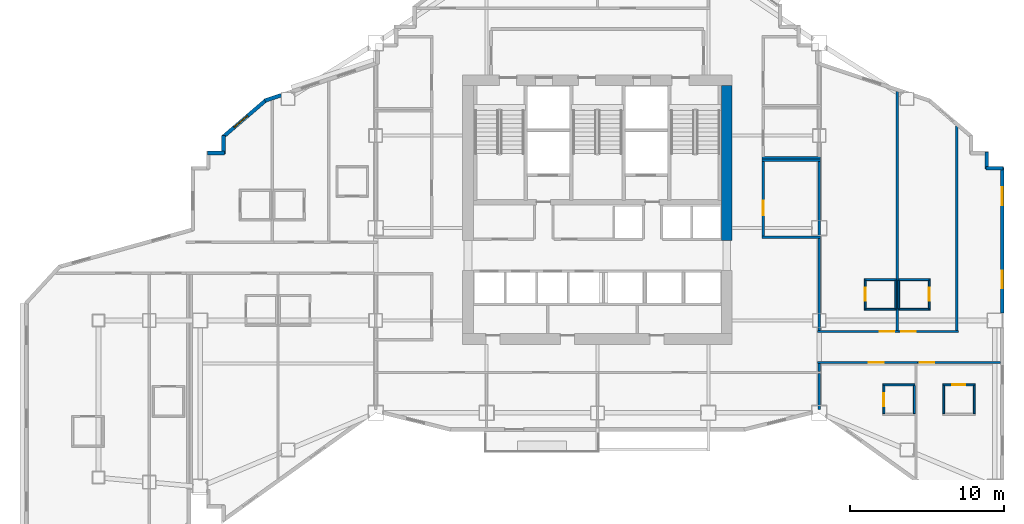
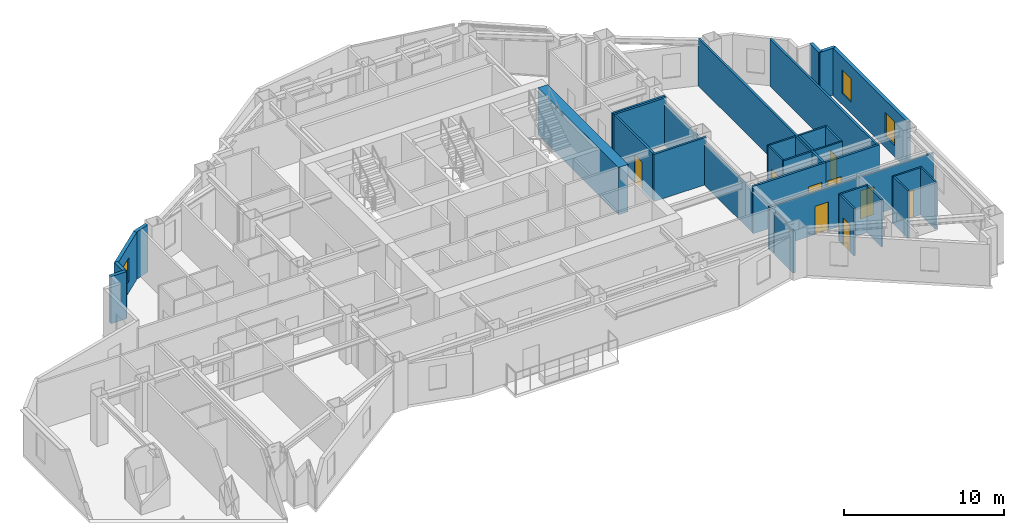
# One storey, part 10 of 14: 36 walls, 9 doors, 3 windows, 12 openings.
"""IFC4 building model written with IfcOpenShell, lengths in metres."""

from ifc_helpers import new_model, si_unit, direction, frame, frame_2d, origin, place, context, subcontext, project, spatial, rectangle, extrude, material, layer, layer_set, type_object, element, fill, save


model = new_model("IFC4")

# Units and contexts
model_context = context("Model", 3, precision=1e-05, world=origin(), true_north=direction((0.0, 1.0)))
body_context = subcontext(model_context, "Body", "Model", "MODEL_VIEW")
ifc_project = project(units=[si_unit("LENGTHUNIT", "METRE"), si_unit("AREAUNIT", "SQUARE_METRE"), si_unit("VOLUMEUNIT", "CUBIC_METRE"), si_unit("PLANEANGLEUNIT", "RADIAN"), si_unit("MASSUNIT", "GRAM", prefix="KILO")], contexts=[model_context])

# Site, building, storey
site_placement = place(None, origin())
site = spatial("IfcSite", under=ifc_project, at=site_placement, CompositionType="ELEMENT")
building_placement = place(site_placement, origin())
building = spatial("IfcBuilding", under=site, at=building_placement, Name="Haolan Belvedere Tower", CompositionType="ELEMENT")
storey_placement = place(building_placement, frame((0.0, 0.0, 148.60009765625)))
storey = spatial("IfcBuildingStorey", under=building, at=storey_placement, Name="L37", CompositionType="ELEMENT", Elevation=148.60009765625)

# Wall
ifc_material_1 = material(Name="Concrete C60/75", Category="concrete")
ifc_layer_1 = layer(ifc_material_1, 0.699951171875, Name="Concrete C60/75")
ifc_layer_set_1 = layer_set([ifc_layer_1], Name="Concrete C60/75")
wall_type_1 = type_object("IfcWallType", Name="WL-CORE-700", PredefinedType="SHEAR", material=ifc_layer_set_1)
wall_1_placement = place(storey_placement, frame((46.800048828125, 32.800048828125, 0.0), z_axis=(0.0, 0.0, 1.0), x_axis=(0.0, 1.0, 0.0)))
element("IfcWall", 1, at=wall_1_placement, inside=storey, type_object=wall_type_1, Name="L37 central core shear wall EN", PredefinedType="SHEAR", context=body_context, shape_type="SweptSolid", body=[
    extrude(rectangle(XDim=10.050048828125, YDim=0.699951171875, at=frame_2d((5.02490234375, 0.0))), origin(), (0.0, 0.0, 1.0), 3.599853515625),
])

# Wall, openings, windows
ifc_material_2 = material(Name="Precast concrete C40/50", Category="concrete")
ifc_layer_2 = layer(ifc_material_2, 0.239990234375, Name="Precast concrete C40/50")
ifc_layer_set_2 = layer_set([ifc_layer_2], Name="Precast concrete C40/50")
wall_type_2 = type_object("IfcWallType", Name="WL-EXT-240", PredefinedType="SOLIDWALL", material=ifc_layer_set_2)
wall_2_placement = place(storey_placement, frame((64.679931640625, 28.092041015625, 0.0), z_axis=(0.0, 0.0, 1.0), x_axis=(0.0, 1.0, 0.0)))
wall_2 = element("IfcWall", 2, at=wall_2_placement, inside=storey, type_object=wall_type_2, Name="L37 pale-metal exterior spandrel wall 14.2", PredefinedType="SOLIDWALL", context=body_context, shape_type="SweptSolid", body=[
    extrude(rectangle(XDim=9.44287109375, YDim=0.239990234375, at=frame_2d((4.721435546875, 0.0))), origin(), (0.0, 0.0, 1.0), 3.599853515625),
])
opening_1_placement = place(wall_2_placement, frame((1.60009765625, 0.0, 0.85009765625)))
opening_1 = element("IfcOpeningElement", 3, at=opening_1_placement, cuts=wall_2, Name="Opening W-02", PredefinedType="OPENING", context=body_context, shape_type="SweptSolid", body=[
    extrude(rectangle(XDim=1.14990234375, YDim=1.800048828125, at=frame_2d((0.574951171875, 0.89990234375))), frame((0.0, 0.1298828125, 0.0), z_axis=(0.0, -1.0, 0.0), x_axis=(1.0, 0.0, 0.0)), (0.0, 0.0, 1.0), 0.260009765625),
])
opening_2_placement = place(wall_2_placement, frame((7.0, 0.0, 0.85009765625)))
opening_2 = element("IfcOpeningElement", 4, at=opening_2_placement, cuts=wall_2, Name="Opening W-02", PredefinedType="OPENING", context=body_context, shape_type="SweptSolid", body=[
    extrude(rectangle(XDim=1.14990234375, YDim=1.800048828125, at=frame_2d((0.574951171875, 0.89990234375))), frame((0.0, 0.1298828125, 0.0), z_axis=(0.0, -1.0, 0.0), x_axis=(1.0, 0.0, 0.0)), (0.0, 0.0, 1.0), 0.260009765625),
])
ifc_material_3 = material(Name="Anodised aluminium 6063-T6 and Low-E glass", Category="aluminium")
window_type = type_object("IfcWindowType", Name="WN-DECO-Z2", PartitioningType="SINGLE_PANEL", PredefinedType="WINDOW", material=ifc_material_3)
window_1_placement = place(opening_1_placement, origin())
window_1 = element("IfcWindow", 5, at=window_1_placement, inside=storey, type_object=window_type, Name="L37 Art Deco chevron window 1", OverallHeight=1.800048828125, OverallWidth=1.14990234375, PartitioningType="SINGLE_PANEL", PredefinedType="WINDOW", context=body_context, shape_type="SweptSolid", body=[
    extrude(rectangle(XDim=1.14990234375, YDim=1.800048828125, at=frame_2d((0.574951171875, 0.89990234375))), frame((0.0, 0.030029296875, 0.0), z_axis=(0.0, -1.0, 0.0), x_axis=(1.0, 0.0, 0.0)), (0.0, 0.0, 1.0), 0.06005859375),
])
fill(opening_1, window_1)
window_2_placement = place(opening_2_placement, origin())
window_2 = element("IfcWindow", 6, at=window_2_placement, inside=storey, type_object=window_type, Name="L37 Art Deco chevron window 2", OverallHeight=1.800048828125, OverallWidth=1.14990234375, PartitioningType="SINGLE_PANEL", PredefinedType="WINDOW", context=body_context, shape_type="SweptSolid", body=[
    extrude(rectangle(XDim=1.14990234375, YDim=1.800048828125, at=frame_2d((0.574951171875, 0.89990234375))), frame((0.0, 0.030029296875, 0.0), z_axis=(0.0, -1.0, 0.0), x_axis=(1.0, 0.0, 0.0)), (0.0, 0.0, 1.0), 0.06005859375),
])
fill(opening_2, window_2)

# Walls
wall_3_placement = place(storey_placement, frame((64.735107421875, 37.47998046875, 0.0), z_axis=(0.0, 0.0, 1.0), x_axis=(-1.0, 0.0, 0.0)))
element("IfcWall", 7, at=wall_3_placement, inside=storey, type_object=wall_type_2, Name="L37 pale-metal exterior spandrel wall 15.1", PredefinedType="SOLIDWALL", context=body_context, shape_type="SweptSolid", body=[
    extrude(rectangle(XDim=1.110107421875, YDim=0.239990234375, at=frame_2d((0.55517578125, 0.0))), origin(), (0.0, 0.0, 1.0), 3.599853515625),
])
wall_4_placement = place(storey_placement, frame((63.679931640625, 37.425048828125, 0.0), z_axis=(0.0, 0.0, 1.0), x_axis=(0.0, 1.0, 0.0)))
element("IfcWall", 8, at=wall_4_placement, inside=storey, type_object=wall_type_2, Name="L37 pale-metal exterior spandrel wall 16.1", PredefinedType="SOLIDWALL", context=body_context, shape_type="SweptSolid", body=[
    extrude(rectangle(XDim=1.10986328125, YDim=0.239990234375, at=frame_2d((0.554931640625, 0.0))), origin(), (0.0, 0.0, 1.0), 3.599853515625),
])
wall_5_placement = place(storey_placement, frame((17.85791015625, 42.226318359375, 0.0), z_axis=(0.0, 0.0, 1.0), x_axis=(-0.948639166064, -0.316360131194, 0.0)))
element("IfcWall", 9, at=wall_5_placement, inside=storey, type_object=wall_type_2, Name="L37 pale-metal exterior spandrel wall 35.2", PredefinedType="SOLIDWALL", context=body_context, shape_type="SweptSolid", body=[
    extrude(rectangle(XDim=1.106689453125, YDim=0.239990234375, at=frame_2d((0.55322265625, 0.0))), origin(), (0.0, 0.0, 1.0), 3.599853515625),
])

# Wall, opening, window
wall_6_placement = place(storey_placement, frame((16.902099609375, 41.929443359375, 0.0), z_axis=(0.0, 0.0, 1.0), x_axis=(-0.759275136126, -0.650769750112, 0.0)))
wall_6 = element("IfcWall", 10, at=wall_6_placement, inside=storey, type_object=wall_type_2, Name="L37 pale-metal exterior spandrel wall 36.1", PredefinedType="SOLIDWALL", context=body_context, shape_type="SweptSolid", body=[
    extrude(rectangle(XDim=3.71923828125, YDim=0.239990234375, at=frame_2d((1.859619140625, 0.0))), origin(), (0.0, 0.0, 1.0), 3.599853515625),
])
opening_3_placement = place(wall_6_placement, frame((1.60009765625, 0.0, 0.85009765625)))
opening_3 = element("IfcOpeningElement", 11, at=opening_3_placement, cuts=wall_6, Name="Opening W-02", PredefinedType="OPENING", context=body_context, shape_type="SweptSolid", body=[
    extrude(rectangle(XDim=1.14990234375, YDim=1.800048828125, at=frame_2d((0.574951171875, 0.89990234375))), frame((0.0, 0.1298828125, 0.0), z_axis=(0.0, -1.0, 0.0), x_axis=(1.0, 0.0, 0.0)), (0.0, 0.0, 1.0), 0.260009765625),
])
window_3_placement = place(opening_3_placement, origin())
window_3 = element("IfcWindow", 12, at=window_3_placement, inside=storey, type_object=window_type, Name="L37 Art Deco chevron window 1", OverallHeight=1.800048828125, OverallWidth=1.14990234375, PartitioningType="SINGLE_PANEL", PredefinedType="WINDOW", context=body_context, shape_type="SweptSolid", body=[
    extrude(rectangle(XDim=1.14990234375, YDim=1.800048828125, at=frame_2d((0.574951171875, 0.89990234375))), frame((0.0, 0.030029296875, 0.0), z_axis=(0.0, -1.0, 0.0), x_axis=(1.0, 0.0, 0.0)), (0.0, 0.0, 1.0), 0.06005859375),
])
fill(opening_3, window_3)

# Walls
wall_7_placement = place(storey_placement, frame((14.1201171875, 39.599853515625, 0.0), z_axis=(0.0, 0.0, 1.0), x_axis=(0.0, -1.0, 0.0)))
element("IfcWall", 13, at=wall_7_placement, inside=storey, type_object=wall_type_2, Name="L37 pale-metal exterior spandrel wall 37.1", PredefinedType="SOLIDWALL", context=body_context, shape_type="SweptSolid", body=[
    extrude(rectangle(XDim=1.1748046875, YDim=0.239990234375, at=frame_2d((0.58740234375, 0.0))), origin(), (0.0, 0.0, 1.0), 3.599853515625),
])
wall_8_placement = place(storey_placement, frame((14.175048828125, 38.47998046875, 0.0), z_axis=(0.0, 0.0, 1.0), x_axis=(-1.0, 0.0, 0.0)))
element("IfcWall", 14, at=wall_8_placement, inside=storey, type_object=wall_type_2, Name="L37 pale-metal exterior spandrel wall 38.1", PredefinedType="SOLIDWALL", context=body_context, shape_type="SweptSolid", body=[
    extrude(rectangle(XDim=1.110107421875, YDim=0.239990234375, at=frame_2d((0.55517578125, 0.0))), origin(), (0.0, 0.0, 1.0), 3.599853515625),
])
ifc_material_4 = material(Name="Double gypsum acoustic stud partition", Category="masonry")
ifc_layer_3 = layer(ifc_material_4, 0.14990234375, Name="Double gypsum acoustic stud partition")
ifc_layer_set_3 = layer_set([ifc_layer_3], Name="Double gypsum acoustic stud partition")
wall_type_3 = type_object("IfcWallType", Name="WL-PART-150", PredefinedType="PARTITIONING", material=ifc_layer_set_3)
for number, where, z_axis, x_axis, name in (
    (15, (49.080078125, 38.0, 0.0), (0.0, 0.0, 1.0), (1.0, 0.0, 0.0), "L37 interior partition IW-L37-BPN-N"),
    (16, (49.080078125, 33.0, 0.0), (0.0, 0.0, 1.0), (1.0, 0.0, 0.0), "L37 interior partition IW-L37-BPN-S"),
):
    element("IfcWall", number, at=place(storey_placement, frame(where, z_axis=z_axis, x_axis=x_axis)), inside=storey, type_object=wall_type_3, Name=name, PredefinedType="PARTITIONING", context=body_context, shape_type="SweptSolid", body=[
        extrude(rectangle(XDim=3.7998046875, YDim=0.14990234375, at=frame_2d((1.89990234375, 0.0))), origin(), (0.0, 0.0, 1.0), 3.599853515625),
    ])

# Wall, opening, door
wall_9_placement = place(storey_placement, frame((49.159912109375, 33.06005859375, 0.0), z_axis=(0.0, 0.0, 1.0), x_axis=(0.0, 1.0, 0.0)))
wall_9 = element("IfcWall", 17, at=wall_9_placement, inside=storey, type_object=wall_type_3, Name="L37 interior partition IW-L37-BPN-W", PredefinedType="PARTITIONING", context=body_context, shape_type="SweptSolid", body=[
    extrude(rectangle(XDim=4.8798828125, YDim=0.14990234375, at=frame_2d((2.43994140625, 0.0))), origin(), (0.0, 0.0, 1.0), 3.599853515625),
])
opening_4_placement = place(wall_9_placement, frame((1.360107421875, 0.0, 0.0)))
opening_4 = element("IfcOpeningElement", 18, at=opening_4_placement, cuts=wall_9, Name="Opening ID-03", PredefinedType="OPENING", context=body_context, shape_type="SweptSolid", body=[
    extrude(rectangle(XDim=0.949951171875, YDim=2.1201171875, at=frame_2d((0.47509765625, 1.06005859375))), frame((0.0, 0.0849609375, 0.0), z_axis=(0.0, -1.0, 0.0), x_axis=(1.0, 0.0, 0.0)), (0.0, 0.0, 1.0), 0.169921875),
])
ifc_material_5 = material(Name="Painted solid-core timber", Category="wood")
door_type_1 = type_object("IfcDoorType", Name="DR-INT-950", OperationType="NOTDEFINED", PredefinedType="DOOR", material=ifc_material_5)
door_1_placement = place(opening_4_placement, origin())
door_1 = element("IfcDoor", 19, at=door_1_placement, inside=storey, type_object=door_type_1, Name="L37 door ID-L37-BPN", OperationType="SINGLE_SWING_RIGHT", OverallHeight=2.1201171875, OverallWidth=0.949951171875, PredefinedType="DOOR", context=body_context, shape_type="SweptSolid", body=[
    extrude(rectangle(XDim=0.949951171875, YDim=2.1201171875, at=frame_2d((0.47509765625, 1.06005859375))), frame((0.0, 0.02490234375, 0.0), z_axis=(0.0, -1.0, 0.0), x_axis=(1.0, 0.0, 0.0)), (0.0, 0.0, 1.0), 0.050048828125),
])
fill(opening_4, door_1)

# Walls
wall_10_placement = place(storey_placement, frame((52.800048828125, 33.06005859375, 0.0), z_axis=(0.0, 0.0, 1.0), x_axis=(0.0, 1.0, 0.0)))
element("IfcWall", 20, at=wall_10_placement, inside=storey, type_object=wall_type_3, Name="L37 interior partition IW-L37-BPN-E", PredefinedType="PARTITIONING", context=body_context, shape_type="SweptSolid", body=[
    extrude(rectangle(XDim=4.8798828125, YDim=0.14990234375, at=frame_2d((2.43994140625, 0.0))), origin(), (0.0, 0.0, 1.0), 3.14501953125),
])
wall_11_placement = place(storey_placement, frame((49.080078125, 38.159912109375, 0.0), z_axis=(0.0, 0.0, 1.0), x_axis=(1.0, 0.0, 0.0)))
element("IfcWall", 21, at=wall_11_placement, inside=storey, type_object=wall_type_3, Name="L37 interior partition IW-L37-AWC-S", PredefinedType="PARTITIONING", context=body_context, shape_type="SweptSolid", body=[
    extrude(rectangle(XDim=3.7998046875, YDim=0.14990234375, at=frame_2d((1.89990234375, 0.0))), origin(), (0.0, 0.0, 1.0), 3.599853515625),
])
wall_12_placement = place(storey_placement, frame((52.800048828125, 21.818603515625, 0.0), z_axis=(0.0, 0.0, 1.0), x_axis=(0.0, 1.0, 0.0)))
element("IfcWall", 22, at=wall_12_placement, inside=storey, type_object=wall_type_3, Name="L37 interior partition IW-L37-KS3-E", PredefinedType="PARTITIONING", context=body_context, shape_type="SweptSolid", body=[
    extrude(rectangle(XDim=2.34130859375, YDim=0.14990234375, at=frame_2d((1.170654296875, 0.0))), origin(), (0.0, 0.0, 1.0), 3.14501953125),
])

# Wall, opening, door
wall_13_placement = place(storey_placement, frame((52.699951171875, 26.8798828125, 0.0), z_axis=(0.0, 0.0, 1.0), x_axis=(1.0, 0.0, 0.0)))
wall_13 = element("IfcWall", 23, at=wall_13_placement, inside=storey, type_object=wall_type_3, Name="L37 interior partition IW-L37-T4N1-S", PredefinedType="PARTITIONING", context=body_context, shape_type="SweptSolid", body=[
    extrude(rectangle(XDim=5.27001953125, YDim=0.14990234375, at=frame_2d((2.635009765625, 0.0))), origin(), (0.0, 0.0, 1.0), 3.599853515625),
])
opening_5_placement = place(wall_13_placement, frame((4.01708984375, 0.0, 0.0)))
opening_5 = element("IfcOpeningElement", 24, at=opening_5_placement, cuts=wall_13, Name="Opening ID-01", PredefinedType="OPENING", context=body_context, shape_type="SweptSolid", body=[
    extrude(rectangle(XDim=0.949951171875, YDim=2.179931640625, at=frame_2d((0.47509765625, 1.08984375))), frame((0.0, 0.0849609375, 0.0), z_axis=(0.0, -1.0, 0.0), x_axis=(1.0, 0.0, 0.0)), (0.0, 0.0, 1.0), 0.169921875),
])
ifc_material_6 = material(Name="Acoustic walnut veneer fire-rated timber", Category="wood")
door_type_2 = type_object("IfcDoorType", Name="DR-SUITE-950", OperationType="NOTDEFINED", PredefinedType="DOOR", material=ifc_material_6)
door_2_placement = place(opening_5_placement, origin())
door_2 = element("IfcDoor", 25, at=door_2_placement, inside=storey, type_object=door_type_2, Name="L37 door ID-L37-T4N1-ENT", OperationType="SINGLE_SWING_RIGHT", OverallHeight=2.179931640625, OverallWidth=0.949951171875, PredefinedType="DOOR", context=body_context, shape_type="SweptSolid", body=[
    extrude(rectangle(XDim=0.949951171875, YDim=2.179931640625, at=frame_2d((0.47509765625, 1.08984375))), frame((0.0, 0.02490234375, 0.0), z_axis=(0.0, -1.0, 0.0), x_axis=(1.0, 0.0, 0.0)), (0.0, 0.0, 1.0), 0.050048828125),
])
fill(opening_5, door_2)

# Walls
wall_14_placement = place(storey_placement, frame((52.800048828125, 26.93994140625, 0.0), z_axis=(0.0, 0.0, 1.0), x_axis=(0.0, 1.0, 0.0)))
element("IfcWall", 26, at=wall_14_placement, inside=storey, type_object=wall_type_3, Name="L37 interior partition IW-L37-T4N1-W", PredefinedType="PARTITIONING", context=body_context, shape_type="SweptSolid", body=[
    extrude(rectangle(XDim=6.0, YDim=0.14990234375, at=frame_2d((3.0, 0.0))), origin(), (0.0, 0.0, 1.0), 3.14501953125),
])
wall_15_placement = place(storey_placement, frame((57.8701171875, 26.93994140625, 0.0), z_axis=(0.0, 0.0, 1.0), x_axis=(0.0, 1.0, 0.0)))
element("IfcWall", 27, at=wall_15_placement, inside=storey, type_object=wall_type_3, Name="L37 interior partition IW-L37-T4N1-E", PredefinedType="PARTITIONING", context=body_context, shape_type="SweptSolid", body=[
    extrude(rectangle(XDim=15.532958984375, YDim=0.14990234375, at=frame_2d((7.7666015625, 0.0))), origin(), (0.0, 0.0, 1.0), 3.599853515625),
])

# Wall, opening, door
wall_16_placement = place(storey_placement, frame((57.971923828125, 26.8798828125, 0.0), z_axis=(0.0, 0.0, 1.0), x_axis=(1.0, 0.0, 0.0)))
wall_16 = element("IfcWall", 28, at=wall_16_placement, inside=storey, type_object=wall_type_3, Name="L37 interior partition IW-L37-T4N2-S", PredefinedType="PARTITIONING", context=body_context, shape_type="SweptSolid", body=[
    extrude(rectangle(XDim=3.858154296875, YDim=0.14990234375, at=frame_2d((1.92919921875, 0.0))), origin(), (0.0, 0.0, 1.0), 3.599853515625),
])
opening_6_placement = place(wall_16_placement, frame((0.139892578125, 0.0, 0.0)))
opening_6 = element("IfcOpeningElement", 29, at=opening_6_placement, cuts=wall_16, Name="Opening ID-02", PredefinedType="OPENING", context=body_context, shape_type="SweptSolid", body=[
    extrude(rectangle(XDim=0.949951171875, YDim=2.14990234375, at=frame_2d((0.47509765625, 1.074951171875))), frame((0.0, 0.0849609375, 0.0), z_axis=(0.0, -1.0, 0.0), x_axis=(1.0, 0.0, 0.0)), (0.0, 0.0, 1.0), 0.169921875),
])
ifc_material_7 = material(Name="Acoustic oak veneer fire-rated timber", Category="wood")
door_type_3 = type_object("IfcDoorType", Name="DR-GUEST-950", OperationType="NOTDEFINED", PredefinedType="DOOR", material=ifc_material_7)
door_3_placement = place(opening_6_placement, origin())
door_3 = element("IfcDoor", 30, at=door_3_placement, inside=storey, type_object=door_type_3, Name="L37 door ID-L37-T4N2-ENT", OperationType="SINGLE_SWING_LEFT", OverallHeight=2.14990234375, OverallWidth=0.949951171875, PredefinedType="DOOR", context=body_context, shape_type="SweptSolid", body=[
    extrude(rectangle(XDim=0.949951171875, YDim=2.14990234375, at=frame_2d((0.47509765625, 1.074951171875))), frame((0.0, 0.02490234375, 0.0), z_axis=(0.0, -1.0, 0.0), x_axis=(1.0, 0.0, 0.0)), (0.0, 0.0, 1.0), 0.050048828125),
])
fill(opening_6, door_3)

# Wall
wall_17_placement = place(storey_placement, frame((61.72998046875, 26.93994140625, 0.0), z_axis=(0.0, 0.0, 1.0), x_axis=(0.0, 1.0, 0.0)))
element("IfcWall", 31, at=wall_17_placement, inside=storey, type_object=wall_type_3, Name="L37 interior partition IW-L37-T4N2-E", PredefinedType="PARTITIONING", context=body_context, shape_type="SweptSolid", body=[
    extrude(rectangle(XDim=13.28076171875, YDim=0.14990234375, at=frame_2d((6.640380859375, 0.0))), origin(), (0.0, 0.0, 1.0), 3.599853515625),
])

# Wall, opening, door
wall_18_placement = place(storey_placement, frame((52.699951171875, 24.8701171875, 0.0), z_axis=(0.0, 0.0, 1.0), x_axis=(1.0, 0.0, 0.0)))
wall_18 = element("IfcWall", 32, at=wall_18_placement, inside=storey, type_object=wall_type_3, Name="L37 interior partition IW-L37-T4S1-N", PredefinedType="PARTITIONING", context=body_context, shape_type="SweptSolid", body=[
    extrude(rectangle(XDim=6.47998046875, YDim=0.14990234375, at=frame_2d((3.239990234375, 0.0))), origin(), (0.0, 0.0, 1.0), 3.23486328125),
])
opening_7_placement = place(wall_18_placement, frame((4.27685546875, 0.0, 0.0), z_axis=(0.0, 0.0, 1.0), x_axis=(-1.0, 0.0, 0.0)))
opening_7 = element("IfcOpeningElement", 33, at=opening_7_placement, cuts=wall_18, Name="Opening ID-02", PredefinedType="OPENING", context=body_context, shape_type="SweptSolid", body=[
    extrude(rectangle(XDim=0.949951171875, YDim=2.14990234375, at=frame_2d((0.47509765625, 1.074951171875))), frame((0.0, 0.0849609375, 0.0), z_axis=(0.0, -1.0, 0.0), x_axis=(1.0, 0.0, 0.0)), (0.0, 0.0, 1.0), 0.169921875),
])
door_4_placement = place(opening_7_placement, origin())
door_4 = element("IfcDoor", 34, at=door_4_placement, inside=storey, type_object=door_type_3, Name="L37 door ID-L37-T4S1-ENT", OperationType="SINGLE_SWING_LEFT", OverallHeight=2.14990234375, OverallWidth=0.949951171875, PredefinedType="DOOR", context=body_context, shape_type="SweptSolid", body=[
    extrude(rectangle(XDim=0.949951171875, YDim=2.14990234375, at=frame_2d((0.47509765625, 1.074951171875))), frame((0.0, 0.02490234375, 0.0), z_axis=(0.0, -1.0, 0.0), x_axis=(1.0, 0.0, 0.0)), (0.0, 0.0, 1.0), 0.050048828125),
])
fill(opening_7, door_4)

# Wall
wall_19_placement = place(storey_placement, frame((52.800048828125, 24.280029296875, 0.0), z_axis=(0.0, 0.0, 1.0), x_axis=(0.0, 1.0, 0.0)))
element("IfcWall", 35, at=wall_19_placement, inside=storey, type_object=wall_type_3, Name="L37 interior partition IW-L37-T4S1-W", PredefinedType="PARTITIONING", context=body_context, shape_type="SweptSolid", body=[
    extrude(rectangle(XDim=0.530029296875, YDim=0.14990234375, at=frame_2d((0.26513671875, 0.0))), origin(), (0.0, 0.0, 1.0), 3.14501953125),
])

# Wall, opening, door
wall_20_placement = place(storey_placement, frame((59.181884765625, 24.8701171875, 0.0), z_axis=(0.0, 0.0, 1.0), x_axis=(1.0, 0.0, 0.0)))
wall_20 = element("IfcWall", 36, at=wall_20_placement, inside=storey, type_object=wall_type_3, Name="L37 interior partition IW-L37-T4S2-N", PredefinedType="PARTITIONING", context=body_context, shape_type="SweptSolid", body=[
    extrude(rectangle(XDim=5.39306640625, YDim=0.14990234375, at=frame_2d((2.696533203125, 0.0))), origin(), (0.0, 0.0, 1.0), 3.23486328125),
])
opening_8_placement = place(wall_20_placement, frame((1.08984375, 0.0, 0.0), z_axis=(0.0, 0.0, 1.0), x_axis=(-1.0, 0.0, 0.0)))
opening_8 = element("IfcOpeningElement", 37, at=opening_8_placement, cuts=wall_20, Name="Opening ID-02", PredefinedType="OPENING", context=body_context, shape_type="SweptSolid", body=[
    extrude(rectangle(XDim=0.949951171875, YDim=2.14990234375, at=frame_2d((0.47509765625, 1.074951171875))), frame((0.0, 0.0849609375, 0.0), z_axis=(0.0, -1.0, 0.0), x_axis=(1.0, 0.0, 0.0)), (0.0, 0.0, 1.0), 0.169921875),
])
door_5_placement = place(opening_8_placement, origin())
door_5 = element("IfcDoor", 38, at=door_5_placement, inside=storey, type_object=door_type_3, Name="L37 door ID-L37-T4S2-ENT", OperationType="SINGLE_SWING_RIGHT", OverallHeight=2.14990234375, OverallWidth=0.949951171875, PredefinedType="DOOR", context=body_context, shape_type="SweptSolid", body=[
    extrude(rectangle(XDim=0.949951171875, YDim=2.14990234375, at=frame_2d((0.47509765625, 1.074951171875))), frame((0.0, 0.02490234375, 0.0), z_axis=(0.0, -1.0, 0.0), x_axis=(1.0, 0.0, 0.0)), (0.0, 0.0, 1.0), 0.050048828125),
])
fill(opening_8, door_5)

# Walls
ifc_material_8 = material(Name="Moisture-resistant gypsum tile partition", Category="masonry")
ifc_layer_4 = layer(ifc_material_8, 0.1201171875, Name="Moisture-resistant gypsum tile partition")
ifc_layer_set_4 = layer_set([ifc_layer_4], Name="Moisture-resistant gypsum tile partition")
wall_type_4 = type_object("IfcWallType", Name="WL-WET-120", PredefinedType="PARTITIONING", material=ifc_layer_set_4)
for number, where, z_axis, x_axis, name in (
    (39, (55.72998046875, 30.25, 0.0), (0.0, 0.0, 1.0), (1.0, 0.0, 0.0), "L37 interior partition IW-L37-T4N1-BN"),
    (40, (55.72998046875, 28.330078125, 0.0), (0.0, 0.0, 1.0), (1.0, 0.0, 0.0), "L37 interior partition IW-L37-T4N1-BS"),
):
    element("IfcWall", number, at=place(storey_placement, frame(where, z_axis=z_axis, x_axis=x_axis)), inside=storey, type_object=wall_type_4, Name=name, PredefinedType="PARTITIONING", context=body_context, shape_type="SweptSolid", body=[
        extrude(rectangle(XDim=2.080078125, YDim=0.1201171875, at=frame_2d((1.0400390625, 0.0))), origin(), (0.0, 0.0, 1.0), 3.599853515625),
    ])

# Wall, opening, door
wall_21_placement = place(storey_placement, frame((55.7900390625, 28.375, 0.0), z_axis=(0.0, 0.0, 1.0), x_axis=(0.0, 1.0, 0.0)))
wall_21 = element("IfcWall", 41, at=wall_21_placement, inside=storey, type_object=wall_type_4, Name="L37 interior partition IW-L37-T4N1-BW", PredefinedType="PARTITIONING", context=body_context, shape_type="SweptSolid", body=[
    extrude(rectangle(XDim=1.830078125, YDim=0.1201171875, at=frame_2d((0.9150390625, 0.0))), origin(), (0.0, 0.0, 1.0), 3.599853515625),
])
opening_9_placement = place(wall_21_placement, frame((1.340087890625, 0.0, 0.0), z_axis=(0.0, 0.0, 1.0), x_axis=(-1.0, 0.0, 0.0)))
opening_9 = element("IfcOpeningElement", 42, at=opening_9_placement, cuts=wall_21, Name="Opening ID-05", PredefinedType="OPENING", context=body_context, shape_type="SweptSolid", body=[
    extrude(rectangle(XDim=0.85009765625, YDim=2.10009765625, at=frame_2d((0.425048828125, 1.050048828125))), frame((0.0, 0.070068359375, 0.0), z_axis=(0.0, -1.0, 0.0), x_axis=(1.0, 0.0, 0.0)), (0.0, 0.0, 1.0), 0.14013671875),
])
ifc_material_9 = material(Name="Moisture-resistant lacquered timber", Category="wood")
door_type_4 = type_object("IfcDoorType", Name="DR-BATH-850", OperationType="NOTDEFINED", PredefinedType="DOOR", material=ifc_material_9)
door_6_placement = place(opening_9_placement, origin())
door_6 = element("IfcDoor", 43, at=door_6_placement, inside=storey, type_object=door_type_4, Name="L37 door ID-L37-T4N1-BATH", OperationType="SINGLE_SWING_LEFT", OverallHeight=2.10009765625, OverallWidth=0.85009765625, PredefinedType="DOOR", context=body_context, shape_type="SweptSolid", body=[
    extrude(rectangle(XDim=0.85009765625, YDim=2.10009765625, at=frame_2d((0.425048828125, 1.050048828125))), frame((0.0, 0.02490234375, 0.0), z_axis=(0.0, -1.0, 0.0), x_axis=(1.0, 0.0, 0.0)), (0.0, 0.0, 1.0), 0.050048828125),
])
fill(opening_9, door_6)

# Walls
wall_22_placement = place(storey_placement, frame((57.77001953125, 28.375, 0.0), z_axis=(0.0, 0.0, 1.0), x_axis=(0.0, 1.0, 0.0)))
element("IfcWall", 44, at=wall_22_placement, inside=storey, type_object=wall_type_4, Name="L37 interior partition IW-L37-T4N1-BE", PredefinedType="PARTITIONING", context=body_context, shape_type="SweptSolid", body=[
    extrude(rectangle(XDim=1.830078125, YDim=0.1201171875, at=frame_2d((0.9150390625, 0.0))), origin(), (0.0, 0.0, 1.0), 3.599853515625),
])
for number, where, z_axis, x_axis, name in (
    (45, (57.929931640625, 30.25, 0.0), (0.0, 0.0, 1.0), (1.0, 0.0, 0.0), "L37 interior partition IW-L37-T4N2-BN"),
    (46, (57.929931640625, 28.330078125, 0.0), (0.0, 0.0, 1.0), (1.0, 0.0, 0.0), "L37 interior partition IW-L37-T4N2-BS"),
):
    element("IfcWall", number, at=place(storey_placement, frame(where, z_axis=z_axis, x_axis=x_axis)), inside=storey, type_object=wall_type_4, Name=name, PredefinedType="PARTITIONING", context=body_context, shape_type="SweptSolid", body=[
        extrude(rectangle(XDim=2.080078125, YDim=0.1201171875, at=frame_2d((1.0400390625, 0.0))), origin(), (0.0, 0.0, 1.0), 3.599853515625),
    ])
wall_23_placement = place(storey_placement, frame((57.969970703125, 28.375, 0.0), z_axis=(0.0, 0.0, 1.0), x_axis=(0.0, 1.0, 0.0)))
element("IfcWall", 47, at=wall_23_placement, inside=storey, type_object=wall_type_4, Name="L37 interior partition IW-L37-T4N2-BW", PredefinedType="PARTITIONING", context=body_context, shape_type="SweptSolid", body=[
    extrude(rectangle(XDim=1.830078125, YDim=0.1201171875, at=frame_2d((0.9150390625, 0.0))), origin(), (0.0, 0.0, 1.0), 3.599853515625),
])

# Wall, opening, door
wall_24_placement = place(storey_placement, frame((59.949951171875, 28.375, 0.0), z_axis=(0.0, 0.0, 1.0), x_axis=(0.0, 1.0, 0.0)))
wall_24 = element("IfcWall", 48, at=wall_24_placement, inside=storey, type_object=wall_type_4, Name="L37 interior partition IW-L37-T4N2-BE", PredefinedType="PARTITIONING", context=body_context, shape_type="SweptSolid", body=[
    extrude(rectangle(XDim=1.830078125, YDim=0.1201171875, at=frame_2d((0.9150390625, 0.0))), origin(), (0.0, 0.0, 1.0), 3.599853515625),
])
opening_10_placement = place(wall_24_placement, frame((0.489990234375, 0.0, 0.0)))
opening_10 = element("IfcOpeningElement", 49, at=opening_10_placement, cuts=wall_24, Name="Opening ID-05", PredefinedType="OPENING", context=body_context, shape_type="SweptSolid", body=[
    extrude(rectangle(XDim=0.85009765625, YDim=2.10009765625, at=frame_2d((0.425048828125, 1.050048828125))), frame((0.0, 0.070068359375, 0.0), z_axis=(0.0, -1.0, 0.0), x_axis=(1.0, 0.0, 0.0)), (0.0, 0.0, 1.0), 0.14013671875),
])
door_7_placement = place(opening_10_placement, origin())
door_7 = element("IfcDoor", 50, at=door_7_placement, inside=storey, type_object=door_type_4, Name="L37 door ID-L37-T4N2-BATH", OperationType="SINGLE_SWING_RIGHT", OverallHeight=2.10009765625, OverallWidth=0.85009765625, PredefinedType="DOOR", context=body_context, shape_type="SweptSolid", body=[
    extrude(rectangle(XDim=0.85009765625, YDim=2.10009765625, at=frame_2d((0.425048828125, 1.050048828125))), frame((0.0, 0.02490234375, 0.0), z_axis=(0.0, -1.0, 0.0), x_axis=(1.0, 0.0, 0.0)), (0.0, 0.0, 1.0), 0.050048828125),
])
fill(opening_10, door_7)

# Wall
wall_25_placement = place(storey_placement, frame((56.93994140625, 23.419921875, 0.0), z_axis=(0.0, 0.0, 1.0), x_axis=(1.0, 0.0, 0.0)))
element("IfcWall", 51, at=wall_25_placement, inside=storey, type_object=wall_type_4, Name="L37 interior partition IW-L37-T4S1-BN", PredefinedType="PARTITIONING", context=body_context, shape_type="SweptSolid", body=[
    extrude(rectangle(XDim=2.080078125, YDim=0.1201171875, at=frame_2d((1.0400390625, 0.0))), origin(), (0.0, 0.0, 1.0), 3.599853515625),
])

# Wall, opening, door
wall_26_placement = place(storey_placement, frame((57.0, 21.544921875, 0.0), z_axis=(0.0, 0.0, 1.0), x_axis=(0.0, 1.0, 0.0)))
wall_26 = element("IfcWall", 52, at=wall_26_placement, inside=storey, type_object=wall_type_4, Name="L37 interior partition IW-L37-T4S1-BW", PredefinedType="PARTITIONING", context=body_context, shape_type="SweptSolid", body=[
    extrude(rectangle(XDim=1.830078125, YDim=0.1201171875, at=frame_2d((0.9150390625, 0.0))), origin(), (0.0, 0.0, 1.0), 3.599853515625),
])
opening_11_placement = place(wall_26_placement, frame((1.340087890625, 0.0, 0.0), z_axis=(0.0, 0.0, 1.0), x_axis=(-1.0, 0.0, 0.0)))
opening_11 = element("IfcOpeningElement", 53, at=opening_11_placement, cuts=wall_26, Name="Opening ID-05", PredefinedType="OPENING", context=body_context, shape_type="SweptSolid", body=[
    extrude(rectangle(XDim=0.85009765625, YDim=2.10009765625, at=frame_2d((0.425048828125, 1.050048828125))), frame((0.0, 0.070068359375, 0.0), z_axis=(0.0, -1.0, 0.0), x_axis=(1.0, 0.0, 0.0)), (0.0, 0.0, 1.0), 0.14013671875),
])
door_8_placement = place(opening_11_placement, origin())
door_8 = element("IfcDoor", 54, at=door_8_placement, inside=storey, type_object=door_type_4, Name="L37 door ID-L37-T4S1-BATH", OperationType="SINGLE_SWING_RIGHT", OverallHeight=2.10009765625, OverallWidth=0.85009765625, PredefinedType="DOOR", context=body_context, shape_type="SweptSolid", body=[
    extrude(rectangle(XDim=0.85009765625, YDim=2.10009765625, at=frame_2d((0.425048828125, 1.050048828125))), frame((0.0, 0.02490234375, 0.0), z_axis=(0.0, -1.0, 0.0), x_axis=(1.0, 0.0, 0.0)), (0.0, 0.0, 1.0), 0.050048828125),
])
fill(opening_11, door_8)

# Wall
wall_27_placement = place(storey_placement, frame((58.97998046875, 21.544921875, 0.0), z_axis=(0.0, 0.0, 1.0), x_axis=(0.0, 1.0, 0.0)))
element("IfcWall", 55, at=wall_27_placement, inside=storey, type_object=wall_type_4, Name="L37 interior partition IW-L37-T4S1-BE", PredefinedType="PARTITIONING", context=body_context, shape_type="SweptSolid", body=[
    extrude(rectangle(XDim=1.830078125, YDim=0.1201171875, at=frame_2d((0.9150390625, 0.0))), origin(), (0.0, 0.0, 1.0), 3.599853515625),
])

# Wall, opening, door
wall_28_placement = place(storey_placement, frame((60.824951171875, 23.419921875, 0.0), z_axis=(0.0, 0.0, 1.0), x_axis=(1.0, 0.0, 0.0)))
wall_28 = element("IfcWall", 56, at=wall_28_placement, inside=storey, type_object=wall_type_4, Name="L37 interior partition IW-L37-T4S2-BN", PredefinedType="PARTITIONING", context=body_context, shape_type="SweptSolid", body=[
    extrude(rectangle(XDim=2.10009765625, YDim=0.1201171875, at=frame_2d((1.050048828125, 0.0))), origin(), (0.0, 0.0, 1.0), 3.599853515625),
])
opening_12_placement = place(wall_28_placement, frame((1.47509765625, 0.0, 0.0), z_axis=(0.0, 0.0, 1.0), x_axis=(-1.0, 0.0, 0.0)))
opening_12 = element("IfcOpeningElement", 57, at=opening_12_placement, cuts=wall_28, Name="Opening ID-05", PredefinedType="OPENING", context=body_context, shape_type="SweptSolid", body=[
    extrude(rectangle(XDim=0.85009765625, YDim=2.10009765625, at=frame_2d((0.425048828125, 1.050048828125))), frame((0.0, 0.070068359375, 0.0), z_axis=(0.0, -1.0, 0.0), x_axis=(1.0, 0.0, 0.0)), (0.0, 0.0, 1.0), 0.14013671875),
])
door_9_placement = place(opening_12_placement, origin())
door_9 = element("IfcDoor", 58, at=door_9_placement, inside=storey, type_object=door_type_4, Name="L37 door ID-L37-T4S2-BATH", OperationType="SINGLE_SWING_LEFT", OverallHeight=2.10009765625, OverallWidth=0.85009765625, PredefinedType="DOOR", context=body_context, shape_type="SweptSolid", body=[
    extrude(rectangle(XDim=0.85009765625, YDim=2.10009765625, at=frame_2d((0.425048828125, 1.050048828125))), frame((0.0, 0.02490234375, 0.0), z_axis=(0.0, -1.0, 0.0), x_axis=(1.0, 0.0, 0.0)), (0.0, 0.0, 1.0), 0.050048828125),
])
fill(opening_12, door_9)

# Walls
for number, where, z_axis, x_axis, name in (
    (59, (60.885009765625, 21.544921875, 0.0), (0.0, 0.0, 1.0), (0.0, 1.0, 0.0), "L37 interior partition IW-L37-T4S2-BW"),
    (60, (62.864990234375, 21.544921875, 0.0), (0.0, 0.0, 1.0), (0.0, 1.0, 0.0), "L37 interior partition IW-L37-T4S2-BE"),
):
    element("IfcWall", number, at=place(storey_placement, frame(where, z_axis=z_axis, x_axis=x_axis)), inside=storey, type_object=wall_type_4, Name=name, PredefinedType="PARTITIONING", context=body_context, shape_type="SweptSolid", body=[
        extrude(rectangle(XDim=1.830078125, YDim=0.1201171875, at=frame_2d((0.9150390625, 0.0))), origin(), (0.0, 0.0, 1.0), 3.599853515625),
    ])

save(model, "model.ifc")
